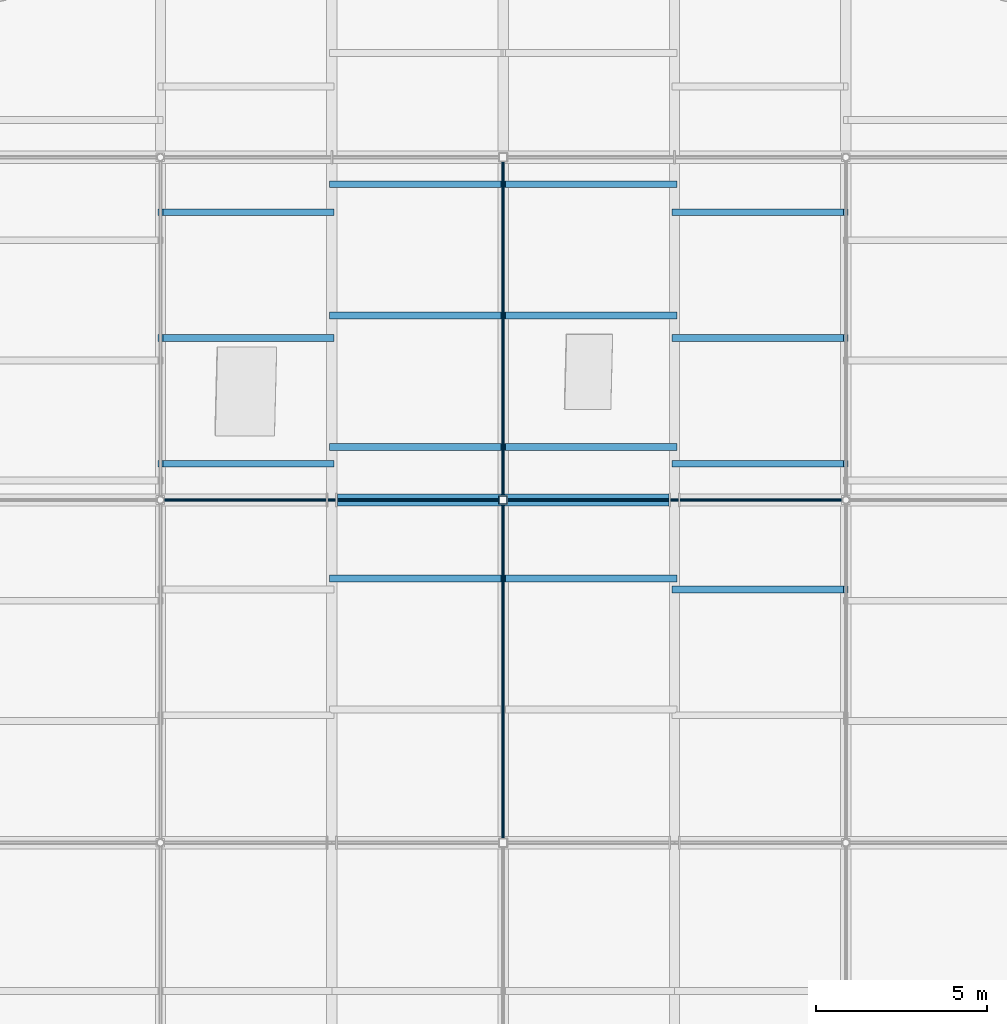
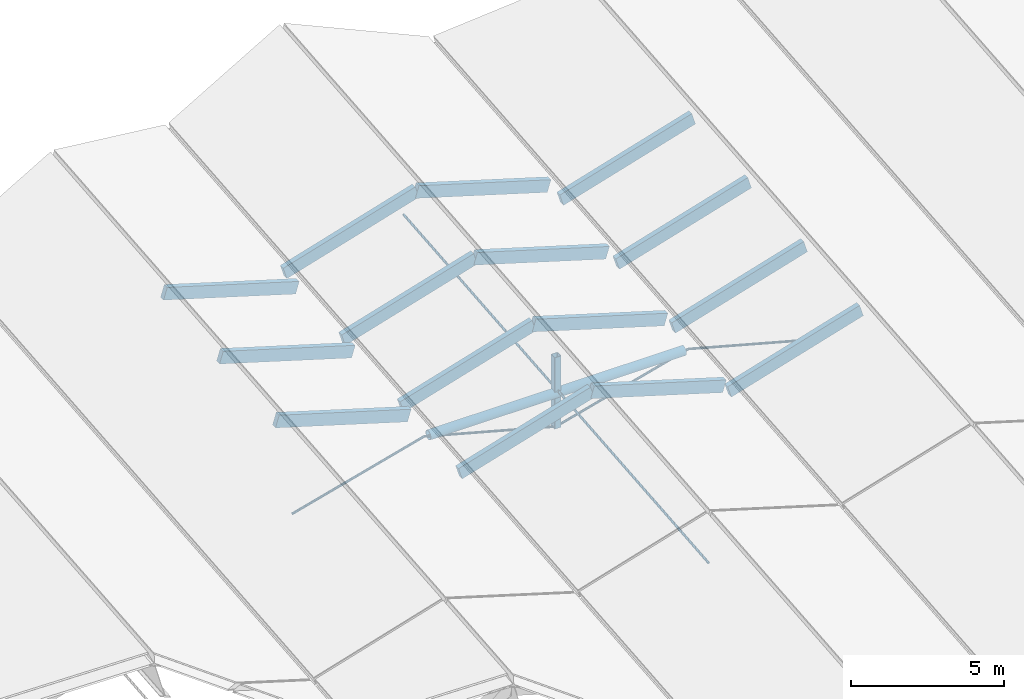
# One storey, part 50 of 90: 22 members, 1 beam.
"""IFC4 building model written with IfcOpenShell, lengths in metres."""

from ifc_helpers import new_model, si_unit, direction, frame, origin, origin_2d, place, context, subcontext, project, spatial, rectangle, hollow_rectangle, circle, hollow_circle, extrude, material, material_profile, profile_set, type_object, element, save


model = new_model("IFC4")

# Units and contexts
model_context = context("Model", 3, precision=1e-05, world=origin(), true_north=direction((0.0, 1.0)))
body_context = subcontext(model_context, "Body", "Model", "MODEL_VIEW")
ifc_project = project(units=[si_unit("LENGTHUNIT", "METRE"), si_unit("AREAUNIT", "SQUARE_METRE"), si_unit("VOLUMEUNIT", "CUBIC_METRE"), si_unit("PLANEANGLEUNIT", "RADIAN"), si_unit("MASSUNIT", "GRAM", prefix="KILO"), si_unit("THERMODYNAMICTEMPERATUREUNIT", "KELVIN"), si_unit("POWERUNIT", "WATT")], contexts=[model_context])

# Site, building, storey
site_placement = place(None, origin())
site = spatial("IfcSite", under=ifc_project, at=site_placement, CompositionType="ELEMENT")
building_placement = place(site_placement, origin())
building = spatial("IfcBuilding", under=site, at=building_placement, Name="Korenveer Ferry Terminal", CompositionType="ELEMENT")
storey_placement = place(building_placement, frame((0.0, 0.0, 22.199951171875)))
storey = spatial("IfcBuildingStorey", under=building, at=storey_placement, Name="RF", CompositionType="ELEMENT", Elevation=22.199951171875)

# Members
ifc_material_1 = material(Name="High-strength steel S460", Category="steel")
ifc_material_profile_1 = material_profile(ifc_material_1, circle(Radius=0.044921875, at=origin_2d()), Name="ROD D90")
ifc_profile_set_1 = profile_set([ifc_material_profile_1], Name="High-strength steel S460")
member_type_1 = type_object("IfcMemberType", Name="STR-CBL-D90", PredefinedType="USERDEFINED", material=ifc_profile_set_1)
for number, where, z_axis, x_axis, name in (
    (1, (83.0, 90.0, -5.045654296875), (-0.965424337217, 0.0, -0.260683426993), (0.0, -1.0, 0.0), "Roof tension tie cable 76"),
    (2, (83.0, 90.0, -5.045654296875), (0.965424337217, 0.0, -0.260683426993), (0.0, 1.0, 0.0), "Roof tension tie cable 77"),
    (3, (93.0, 90.0, -5.045654296875), (-0.965424337217, 0.0, -0.260683426993), (0.0, -1.0, 0.0), "Roof tension tie cable 78"),
    (4, (93.0, 90.0, -5.045654296875), (0.965424337217, 0.0, -0.260683426993), (0.0, 1.0, 0.0), "Roof tension tie cable 79"),
):
    element("IfcMember", number, at=place(storey_placement, frame(where, z_axis=z_axis, x_axis=x_axis)), inside=storey, type_object=member_type_1, Name=name, ObjectType="CABLE", PredefinedType="USERDEFINED", context=body_context, shape_type="SweptSolid", body=[
        extrude(circle(Radius=0.044921875, at=origin_2d()), origin(), (0.0, 0.0, 1.0), 5.178955078125),
    ])
for number, where, z_axis, x_axis, name in (
    (5, (88.0, 80.0, -5.7939453125), (0.0, 0.995903364261, 0.090423940715), (-1.0, 0.0, 0.0), "Longitudinal jaw-stay cable 117"),
    (6, (88.0, 90.0, -4.885986328125), (0.0, 0.995903364261, 0.090423940715), (-1.0, 0.0, 0.0), "Longitudinal jaw-stay cable 118"),
):
    element("IfcMember", number, at=place(storey_placement, frame(where, z_axis=z_axis, x_axis=x_axis)), inside=storey, type_object=member_type_1, Name=name, ObjectType="CABLE", PredefinedType="USERDEFINED", context=body_context, shape_type="SweptSolid", body=[
        extrude(circle(Radius=0.044921875, at=origin_2d()), origin(), (0.0, 0.0, 1.0), 10.041015625),
    ])
ifc_material_2 = material(Name="Glulam GL28h", Category="wood")
ifc_material_profile_2 = material_profile(ifc_material_2, rectangle(XDim=0.199951171875, YDim=0.47998046875, at=origin_2d()), Name="GL 200x480")
ifc_profile_set_2 = profile_set([ifc_material_profile_2], Name="Glulam GL28h")
member_type_2 = type_object("IfcMemberType", Name="STR-PUR-GL200", PredefinedType="PURLIN", material=ifc_profile_set_2)
for number, where, z_axis, x_axis, name in (
    (7, (78.0, 91.056884765625, -3.28173828125), (0.957323074362, 0.0, -0.289019949647), (0.0, 1.0, 0.0), "Folded roof glulam purlin 105"),
    (8, (78.0, 94.725830078125, -2.948486328125), (0.957310140112, 0.0, -0.289062788401), (0.0, 1.0, 0.0), "Folded roof glulam purlin 106"),
    (9, (78.0, 98.394775390625, -2.615478515625), (0.957323074362, 0.0, -0.289019949647), (0.0, 1.0, 0.0), "Folded roof glulam purlin 107"),
    (10, (83.0, 87.71435546875, -5.094970703125), (0.957310140112, 0.0, 0.289062788401), (0.0, 1.0, 0.0), "Folded roof glulam purlin 134"),
    (11, (83.0, 91.546630859375, -4.746826171875), (0.957323074362, 0.0, 0.289019949647), (0.0, 1.0, 0.0), "Folded roof glulam purlin 135"),
    (12, (83.0, 95.37890625, -4.39892578125), (0.957310140112, 0.0, 0.289062788401), (0.0, 1.0, 0.0), "Folded roof glulam purlin 136"),
    (13, (83.0, 99.2109375, -4.051025390625), (0.957310140112, 0.0, 0.289062788401), (0.0, 1.0, 0.0), "Folded roof glulam purlin 137"),
    (14, (88.0, 87.71435546875, -3.585205078125), (0.957310140112, 0.0, -0.289062788401), (0.0, 1.0, 0.0), "Folded roof glulam purlin 140"),
    (15, (88.0, 91.546630859375, -3.2373046875), (0.957323074362, 0.0, -0.289019949647), (0.0, 1.0, 0.0), "Folded roof glulam purlin 141"),
    (16, (88.0, 95.37890625, -2.88916015625), (0.957310140112, 0.0, -0.289062788401), (0.0, 1.0, 0.0), "Folded roof glulam purlin 142"),
    (17, (88.0, 99.2109375, -2.541259765625), (0.957310140112, 0.0, -0.289062788401), (0.0, 1.0, 0.0), "Folded roof glulam purlin 143"),
    (18, (93.0, 87.387939453125, -5.12451171875), (0.957310140112, 0.0, 0.289062788401), (0.0, 1.0, 0.0), "Folded roof glulam purlin 170"),
    (19, (93.0, 91.056884765625, -4.791259765625), (0.957323074362, 0.0, 0.289019949647), (0.0, 1.0, 0.0), "Folded roof glulam purlin 171"),
    (20, (93.0, 94.725830078125, -4.458251953125), (0.957310140112, 0.0, 0.289062788401), (0.0, 1.0, 0.0), "Folded roof glulam purlin 172"),
    (21, (93.0, 98.394775390625, -4.125), (0.957323074362, 0.0, 0.289019949647), (0.0, 1.0, 0.0), "Folded roof glulam purlin 173"),
):
    element("IfcMember", number, at=place(storey_placement, frame(where, z_axis=z_axis, x_axis=x_axis)), inside=storey, type_object=member_type_2, Name=name, PredefinedType="PURLIN", context=body_context, shape_type="SweptSolid", body=[
        extrude(rectangle(XDim=0.199951171875, YDim=0.47998046875, at=origin_2d()), origin(), (0.0, 0.0, 1.0), 5.222900390625),
    ])

# Beam
ifc_material_3 = material(Name="Steel S355", Category="steel")
ifc_material_profile_3 = material_profile(ifc_material_3, hollow_circle(Radius=0.177734375, WallThickness=0.01611328125, at=origin_2d()), Name="CHS 355.6x16")
ifc_profile_set_3 = profile_set([ifc_material_profile_3], Name="Steel S355")
beam_type = type_object("IfcBeamType", Name="STR-RFG-CHS355", PredefinedType="USERDEFINED", material=ifc_profile_set_3)
beam_placement = place(storey_placement, frame((83.159912109375, 90.0, -5.045654296875), z_axis=(1.0, 0.0, 0.0), x_axis=(0.0, 1.0, 0.0)))
element("IfcBeam", 22, at=beam_placement, inside=storey, type_object=beam_type, Name="Roof transverse tie girder 127", ObjectType="ROOF GIRDER", PredefinedType="USERDEFINED", context=body_context, shape_type="SweptSolid", body=[
    extrude(hollow_circle(Radius=0.177734375, WallThickness=0.01611328125, at=origin_2d()), origin(), (0.0, 0.0, 1.0), 9.68017578125),
])

# Member
ifc_material_profile_4 = material_profile(ifc_material_3, hollow_rectangle(XDim=0.25, YDim=0.25, WallThickness=0.012451171875, InnerFilletRadius=0.012451171875, OuterFilletRadius=0.018798828125, at=origin_2d()), Name="SHS 250x250x12.5")
ifc_profile_set_4 = profile_set([ifc_material_profile_4], Name="Steel S355")
member_type_3 = type_object("IfcMemberType", Name="STR-STT-SHS250", PredefinedType="STRUT", material=ifc_profile_set_4)
member_placement = place(storey_placement, frame((88.0, 90.0, -6.395751953125), z_axis=(0.0, 0.0, 1.0), x_axis=(1.0, 0.0, 0.0)))
element("IfcMember", 23, at=member_placement, inside=storey, type_object=member_type_3, Name="Roof king-post strut STTKP-Y90-B3", PredefinedType="STRUT", context=body_context, shape_type="SweptSolid", body=[
    extrude(hollow_rectangle(XDim=0.25, YDim=0.25, WallThickness=0.012451171875, InnerFilletRadius=0.012451171875, OuterFilletRadius=0.018798828125, at=origin_2d()), origin(), (0.0, 0.0, 1.0), 2.85986328125),
])

save(model, "model.ifc")
